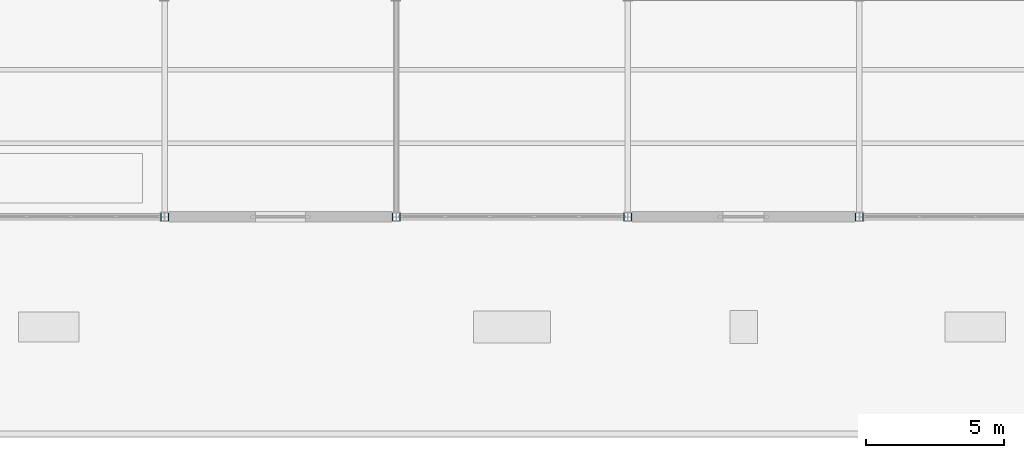
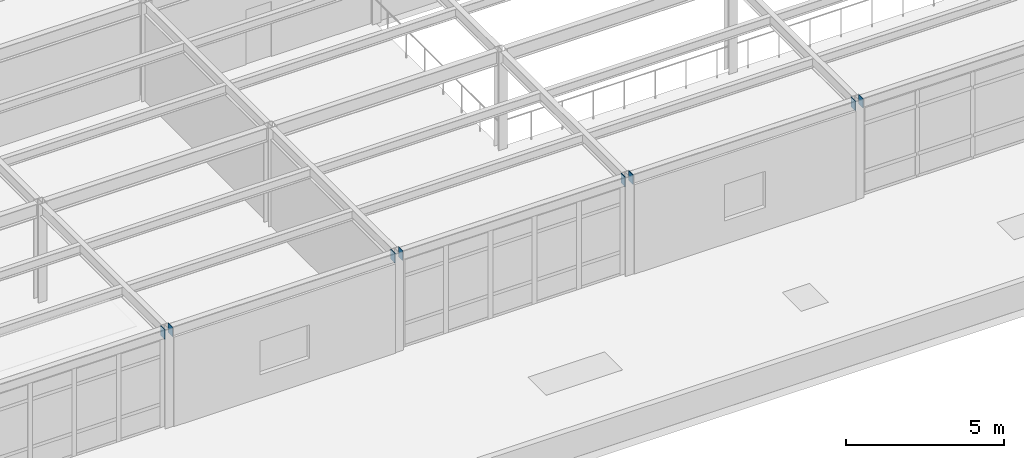
# One storey, part 93 of 138: 8 discrete accessories.
"""IFC4 building model written with IfcOpenShell, lengths in metres."""

from ifc_helpers import new_model, si_unit, direction, frame, origin, origin_2d, place, context, subcontext, project, spatial, rectangle, extrude, material, layer, layer_set, type_object, element, save


model = new_model("IFC4")

# Units and contexts
model_context = context("Model", 3, precision=1e-05, world=origin(), true_north=direction((0.0, 1.0)))
body_context = subcontext(model_context, "Body", "Model", "MODEL_VIEW")
ifc_project = project(units=[si_unit("LENGTHUNIT", "METRE"), si_unit("AREAUNIT", "SQUARE_METRE"), si_unit("VOLUMEUNIT", "CUBIC_METRE"), si_unit("PLANEANGLEUNIT", "RADIAN"), si_unit("MASSUNIT", "GRAM", prefix="KILO")], contexts=[model_context])

# Site, building, storey
site_placement = place(None, origin())
site = spatial("IfcSite", under=ifc_project, at=site_placement, CompositionType="ELEMENT")
building_placement = place(site_placement, origin())
building = spatial("IfcBuilding", under=site, at=building_placement, Name="Kranzveld Transit Interchange", CompositionType="ELEMENT")
storey_placement = place(building_placement, frame((0.0, 0.0, 5.43994140625)))
storey = spatial("IfcBuildingStorey", under=building, at=storey_placement, Name="L01", CompositionType="ELEMENT", Elevation=5.43994140625)

# Discrete accessories
ifc_material = material(Name="Steel S355JR", Category="steel")
ifc_layer = layer(ifc_material, 0.02001953125)
ifc_layer_set = layer_set([ifc_layer], Name="Steel S355JR")
discrete_accessory_type = type_object("IfcDiscreteAccessoryType", Name="Hollow Section End Cap Bracket 20 S355JR", PredefinedType="BRACKET", material=ifc_layer_set)
discrete_accessory_placement = place(storey_placement, frame((67.051513671875, 8.0, 3.625), z_axis=(1.0, 0.0, 0.0), x_axis=(0.0, 1.0, 0.0)))
element("IfcDiscreteAccessory", 1, at=discrete_accessory_placement, inside=storey, type_object=discrete_accessory_type, Name="Hollow Section End Cap SP-RHS350-2", PredefinedType="BRACKET", context=body_context, shape_type="SweptSolid", body=[
    extrude(rectangle(XDim=0.27392578125, YDim=0.3740234375, at=origin_2d()), origin(), (0.0, 0.0, 1.0), 0.019775390625),
])
for number, where, z_axis, x_axis, name in (
    (2, (67.3486328125, 8.0, 3.625), (-1.0, 0.0, 0.0), (0.0, -1.0, 0.0), "Hollow Section End Cap SP-RHS350-1"),
    (3, (75.451416015625, 8.0, 3.625), (1.0, 0.0, 0.0), (0.0, 1.0, 0.0), "Hollow Section End Cap SP-RHS350-2"),
    (4, (75.74853515625, 8.0, 3.625), (-1.0, 0.0, 0.0), (0.0, -1.0, 0.0), "Hollow Section End Cap SP-RHS350-1"),
    (5, (83.851318359375, 8.0, 3.625), (1.0, 0.0, 0.0), (0.0, 1.0, 0.0), "Hollow Section End Cap SP-RHS350-2"),
    (6, (84.148681640625, 8.0, 3.625), (-1.0, 0.0, 0.0), (0.0, -1.0, 0.0), "Hollow Section End Cap SP-RHS350-1"),
    (7, (92.25146484375, 8.0, 3.625), (1.0, 0.0, 0.0), (0.0, 1.0, 0.0), "Hollow Section End Cap SP-RHS350-2"),
    (8, (92.548583984375, 8.0, 3.625), (-1.0, 0.0, 0.0), (0.0, -1.0, 0.0), "Hollow Section End Cap SP-RHS350-1"),
):
    element("IfcDiscreteAccessory", number, at=place(storey_placement, frame(where, z_axis=z_axis, x_axis=x_axis)), inside=storey, type_object=discrete_accessory_type, Name=name, PredefinedType="BRACKET", context=body_context, shape_type="SweptSolid", body=[
        extrude(rectangle(XDim=0.27392578125, YDim=0.3740234375, at=origin_2d()), origin(), (0.0, 0.0, 1.0), 0.02001953125),
    ])

save(model, "model.ifc")
